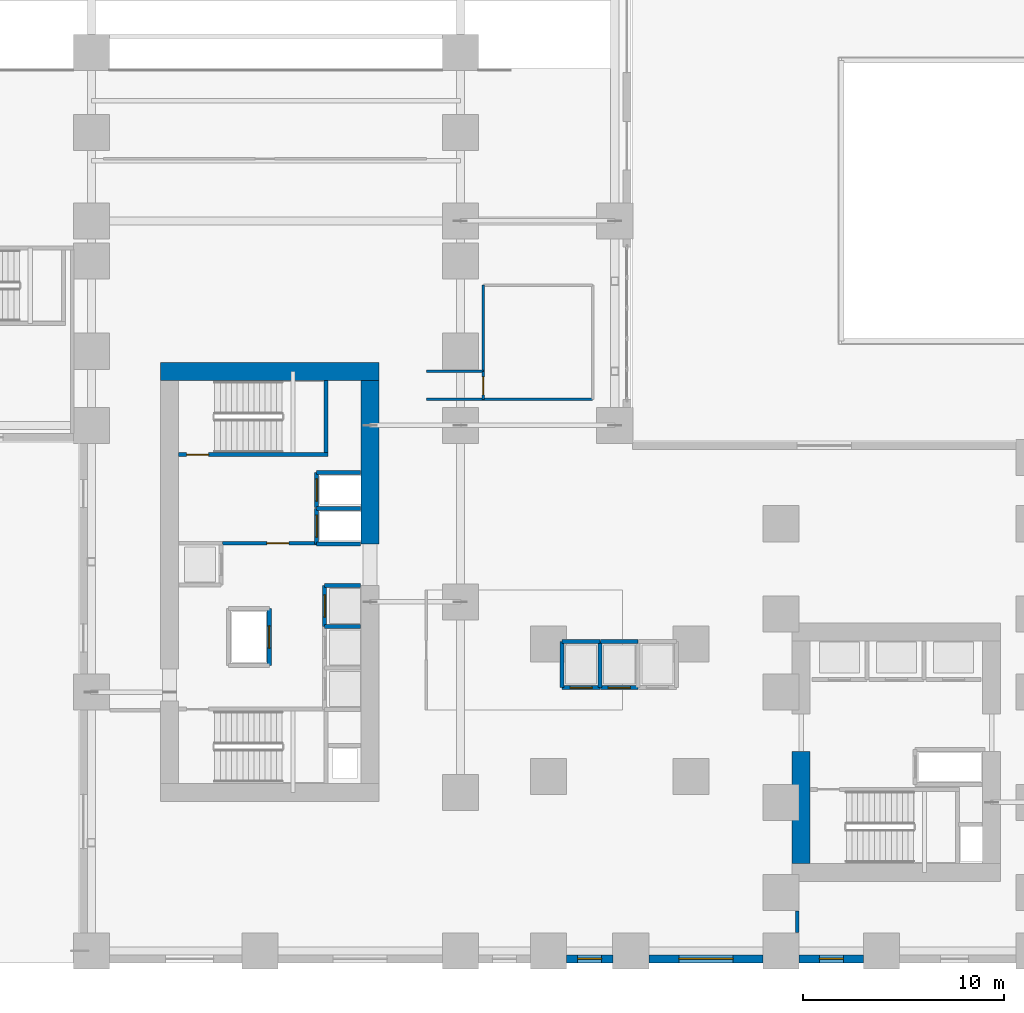
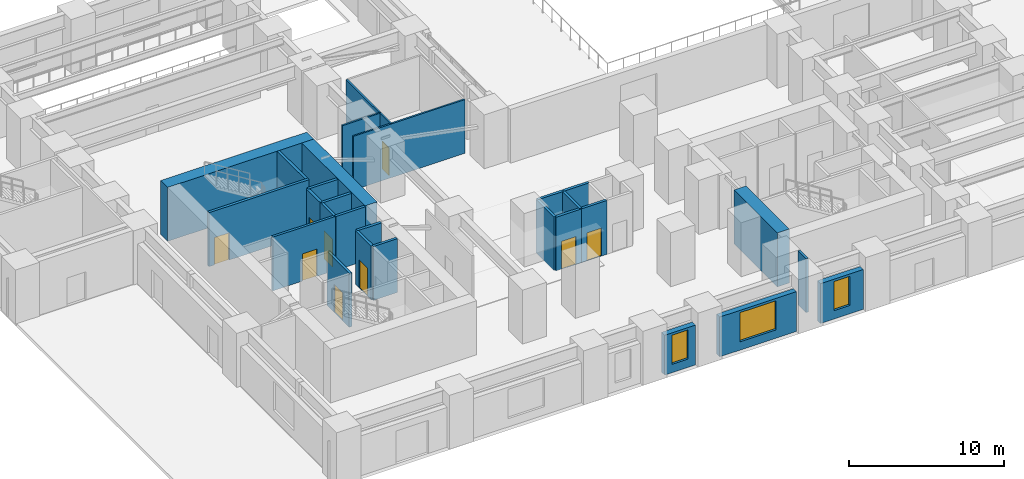
# One storey, part 14 of 23: 29 walls, 9 doors, 3 windows, 12 openings.
"""IFC4 building model written with IfcOpenShell, lengths in metres."""

import ifcopenshell
import ifcopenshell.guid

model = None  # the IFC model being written
_history = None  # IfcOwnerHistory: only IFC2X3 demands one
_inside = {}  # id of a spatial element -> (the spatial element, [elements in it])
_under = {}  # id of a project, library or spatial element -> (it, [spatial elements below it])
_declared = {}  # id of a project -> (the project, [libraries it declares])
_typed = {}  # id of a type object -> (the type object, [elements of that type])
_made_of = {}  # id of a material, layer set ... -> (it, [elements and type objects made of it])


def new_model(schema):
    """Start an empty IFC model of exactly this schema.

    Asked for "IFC4X3", IfcOpenShell would pick the latest addendum, in which some entities
    have other attributes; the version numbers below select the first issue.
    IFC2X3 requires an IfcOwnerHistory on every rooted entity: one is made here for all.
    """
    global model, _history
    if schema == "IFC4X3":
        model = ifcopenshell.file(schema_version=(4, 3, 0, 0))
    else:
        model = ifcopenshell.file(schema=schema)
    _inside.clear()
    _under.clear()
    _declared.clear()
    _typed.clear()
    _made_of.clear()
    _history = None
    if model.schema == "IFC2X3":
        org = make("IfcOrganization", Name="unknown")
        user = make(
            "IfcPersonAndOrganization",
            ThePerson=make("IfcPerson", FamilyName="unknown"),
            TheOrganization=org,
        )
        app = make(
            "IfcApplication",
            ApplicationDeveloper=org,
            Version="unknown",
            ApplicationFullName="unknown",
            ApplicationIdentifier="unknown",
        )
        _history = make(
            "IfcOwnerHistory",
            OwningUser=user,
            OwningApplication=app,
            ChangeAction="ADDED",
            CreationDate=0,
        )
    return model


def make(cls, **values):
    """One entity of the class cls with the attributes given. An attribute that is None is left unset."""
    return model.create_entity(
        cls, **{name: value for name, value in values.items() if value is not None}
    )


def rooted(cls, **values):
    """An entity with a GlobalId (a new one), such as an element, a storey or a relation."""
    return make(cls, GlobalId=ifcopenshell.guid.new(), OwnerHistory=_history, **values)


def si_unit(unit_type, name, prefix=None):
    """IfcSIUnit, for example si_unit("LENGTHUNIT", "METRE", prefix="MILLI")."""
    return make("IfcSIUnit", UnitType=unit_type, Prefix=prefix, Name=name)


def assignment(units):
    """IfcUnitAssignment: the units of a project."""
    return None if units is None else make("IfcUnitAssignment", Units=units)


def point(xyz):
    """IfcCartesianPoint."""
    return None if xyz is None else make("IfcCartesianPoint", Coordinates=xyz)


def direction(xyz):
    """IfcDirection."""
    return None if xyz is None else make("IfcDirection", DirectionRatios=xyz)


def frame(location, z_axis=None, x_axis=None):
    """IfcAxis2Placement3D, a coordinate frame: its origin and axes. An axis left out is left unset."""
    return make(
        "IfcAxis2Placement3D",
        Location=point(location),
        Axis=direction(z_axis),
        RefDirection=direction(x_axis),
    )


def frame_2d(location, x_axis=None):
    """IfcAxis2Placement2D, a coordinate frame in the plane: its origin and x axis."""
    return make(
        "IfcAxis2Placement2D", Location=point(location), RefDirection=direction(x_axis)
    )


def origin():
    """The frame at (0, 0, 0) with its axes left unset."""
    return frame((0.0, 0.0, 0.0))


def place(relative_to, where):
    """IfcLocalPlacement: puts the frame where relative to a parent placement (None: the world)."""
    return make(
        "IfcLocalPlacement", PlacementRelTo=relative_to, RelativePlacement=where
    )


def context(
    kind, dimensions, precision=None, world=None, true_north=None, identifier=None
):
    """IfcGeometricRepresentationContext, for example the 3D "Model" context."""
    return make(
        "IfcGeometricRepresentationContext",
        ContextIdentifier=identifier,
        ContextType=kind,
        CoordinateSpaceDimension=dimensions,
        Precision=precision,
        WorldCoordinateSystem=world,
        TrueNorth=true_north,
    )


def subcontext(parent, identifier, kind, view, scale=None):
    """IfcGeometricRepresentationSubContext, for example "Body" below "Model"."""
    return make(
        "IfcGeometricRepresentationSubContext",
        ContextIdentifier=identifier,
        ContextType=kind,
        ParentContext=parent,
        TargetScale=scale,
        TargetView=view,
    )


def project(units=None, contexts=None):
    """IfcProject with its units and contexts."""
    return rooted(
        "IfcProject",
        Name="project",
        RepresentationContexts=contexts,
        UnitsInContext=assignment(units),
    )


def spatial(cls, under=None, at=None, **own):
    """A site, building, storey or space (cls), placed at a placement, below another one or the project."""
    s = rooted(cls, ObjectPlacement=at, **own)
    if under is not None:
        _under.setdefault(under.id(), (under, []))[1].append(s)
    return s


def profile(cls, at=None, kind="AREA", **sizes):
    """A parametric profile (cls). Its sizes go by their IFC names, for example OverallWidth=200.0."""
    return make(cls, ProfileType=kind, Position=at, **sizes)


def rectangle(**sizes):
    """IfcRectangleProfileDef."""
    return profile("IfcRectangleProfileDef", **sizes)


def extrude(swept, where, along, depth):
    """IfcExtrudedAreaSolid: the profile swept, set in the frame where, extruded along a direction by depth."""
    return make(
        "IfcExtrudedAreaSolid",
        SweptArea=swept,
        Position=where,
        ExtrudedDirection=direction(along),
        Depth=depth,
    )


def shape(context_of_items, identifier, shape_type, items):
    """IfcShapeRepresentation: the items that make up one representation, for example the "Body"."""
    return make(
        "IfcShapeRepresentation",
        ContextOfItems=context_of_items,
        RepresentationIdentifier=identifier,
        RepresentationType=shape_type,
        Items=items,
    )


def source(mapping_origin, context_of_items, identifier, shape_type, items):
    """IfcRepresentationMap: a shape defined once, which mapped items show again and again."""
    return make(
        "IfcRepresentationMap",
        MappingOrigin=mapping_origin,
        MappedRepresentation=shape(context_of_items, identifier, shape_type, items),
    )


def transform(
    local_origin,
    x_axis=None,
    y_axis=None,
    z_axis=None,
    scale=None,
    scale2=None,
    scale3=None,
    uniform=True,
):
    """IfcCartesianTransformationOperator3D, or its non-uniform kind. x_axis, y_axis, z_axis: its Axis1, 2, 3."""
    if uniform:
        return make(
            "IfcCartesianTransformationOperator3D",
            Axis1=direction(x_axis),
            Axis2=direction(y_axis),
            LocalOrigin=point(local_origin),
            Scale=scale,
            Axis3=direction(z_axis),
        )
    return make(
        "IfcCartesianTransformationOperator3DnonUniform",
        Axis1=direction(x_axis),
        Axis2=direction(y_axis),
        LocalOrigin=point(local_origin),
        Scale=scale,
        Axis3=direction(z_axis),
        Scale2=scale2,
        Scale3=scale3,
    )


def mapped(mapping_source, mapping_target):
    """IfcMappedItem: shows the shape of a source again, moved by a transform."""
    return make(
        "IfcMappedItem", MappingSource=mapping_source, MappingTarget=mapping_target
    )


def material(Name=None, Category=None):
    """IfcMaterial."""
    return make("IfcMaterial", Name=Name, Category=Category)


def layer(
    of_material, thickness, ventilated=None, Name=None, Category=None, Priority=None
):
    """IfcMaterialLayer: one layer of a wall or slab, of a material (None: an air gap)."""
    return make(
        "IfcMaterialLayer",
        Material=of_material,
        LayerThickness=thickness,
        IsVentilated=ventilated,
        Name=Name,
        Category=Category,
        Priority=Priority,
    )


def layer_set(layers, Name=None):
    """IfcMaterialLayerSet."""
    return make("IfcMaterialLayerSet", MaterialLayers=layers, LayerSetName=Name)


def made_of(thing, what):
    """Note that an element or type object is made of a material, layer set ...; save() writes the relation."""
    if what is not None:
        _made_of.setdefault(what.id(), (what, []))[1].append(thing)
    return thing


def type_object(cls, material=None, **own):
    """A type object (cls), such as IfcWallType, which elements share."""
    return made_of(rooted(cls, **own), material)


def element(
    cls,
    number,
    at=None,
    inside=None,
    cuts=None,
    type_object=None,
    material=None,
    context=None,
    identifier="Body",
    shape_type=None,
    held_by="IfcProductDefinitionShape",
    body=None,
    shapes=None,
    **own,
):
    """One element of the class cls, such as IfcWall. Its Tag is "e" and its number.

    at: its placement. inside: the storey or other place that contains it. cuts: it is an
    opening in that element (IfcRelVoidsElement). A single representation is given by context,
    identifier, shape_type and body (its items); several are given by shapes. held_by: the class
    of the entity that holds the representations. save() writes the other relations.
    """
    e = rooted(cls, Tag="e%d" % number, ObjectPlacement=at, **own)
    if body is not None:
        shapes = [shape(context, identifier, shape_type, body)]
    if shapes is not None:
        e.Representation = make(held_by, Representations=shapes)
    if inside is not None:
        _inside.setdefault(inside.id(), (inside, []))[1].append(e)
    if cuts is not None:
        rooted(
            "IfcRelVoidsElement", RelatingBuildingElement=cuts, RelatedOpeningElement=e
        )
    if type_object is not None:
        _typed.setdefault(type_object.id(), (type_object, []))[1].append(e)
    return made_of(e, material)


def fill(opening, filler):
    """IfcRelFillsElement: the door or window that sits in an opening."""
    return rooted(
        "IfcRelFillsElement",
        RelatingOpeningElement=opening,
        RelatedBuildingElement=filler,
    )


def aggregate(whole, parts):
    """IfcRelAggregates: a whole, such as a stair, and the parts it consists of."""
    return rooted("IfcRelAggregates", RelatingObject=whole, RelatedObjects=parts)


def save(model, path):
    """Write the relations noted so far, then the file.

    IfcRelAggregates (storeys below a building ...), IfcRelContainedInSpatialStructure (elements
    in a storey), IfcRelDefinesByType, IfcRelAssociatesMaterial and IfcRelDeclares: one each for
    every whole, place, type object, material and project.
    """
    for whole, parts in _under.values():
        aggregate(whole, parts)
    for where, things in _inside.values():
        rooted(
            "IfcRelContainedInSpatialStructure",
            RelatedElements=things,
            RelatingStructure=where,
        )
    for kind, things in _typed.values():
        rooted("IfcRelDefinesByType", RelatedObjects=things, RelatingType=kind)
    for what, things in _made_of.values():
        rooted("IfcRelAssociatesMaterial", RelatedObjects=things, RelatingMaterial=what)
    for by, libraries in _declared.values():
        rooted("IfcRelDeclares", RelatingContext=by, RelatedDefinitions=libraries)
    model.write(path)


model = new_model("IFC4")

# Units and contexts
model_context = context("Model", 3, precision=1e-05, world=origin(), true_north=direction((0.0, 1.0)))
body_context = subcontext(model_context, "Body", "Model", "MODEL_VIEW")
ifc_project = project(units=[si_unit("LENGTHUNIT", "METRE"), si_unit("AREAUNIT", "SQUARE_METRE"), si_unit("VOLUMEUNIT", "CUBIC_METRE"), si_unit("PLANEANGLEUNIT", "RADIAN"), si_unit("MASSUNIT", "GRAM", prefix="KILO")], contexts=[model_context])

# Site, building, storey
site_placement = place(None, origin())
site = spatial("IfcSite", under=ifc_project, at=site_placement, CompositionType="ELEMENT")
building_placement = place(site_placement, origin())
building = spatial("IfcBuilding", under=site, at=building_placement, Name="Kharzan Plaza Tower", CompositionType="ELEMENT")
storey_placement = place(building_placement, origin())
storey = spatial("IfcBuildingStorey", under=building, at=storey_placement, Name="L00", CompositionType="ELEMENT", Elevation=0.0)

# Wall, opening, door
ifc_material_1 = material(Name="Concrete C40/50", Category="concrete")
ifc_layer_1 = layer(ifc_material_1, 0.179931640625)
ifc_layer_set_1 = layer_set([ifc_layer_1], Name="Concrete C40/50")
wall_type_1 = type_object("IfcWallType", Name="WL-INT-FIRE-180", PredefinedType="PARTITIONING", material=ifc_layer_set_1)
wall_1_placement = place(storey_placement, frame((7.14990234375, 20.919921875, 0.0), z_axis=(0.0, 0.0, 1.0), x_axis=(1.0, 0.0, 0.0)))
wall_1 = element("IfcWall", 1, at=wall_1_placement, inside=storey, type_object=wall_type_1, Name="L00 Interior Partition CA-FF-S", PredefinedType="PARTITIONING", context=body_context, shape_type="SweptSolid", body=[
    extrude(rectangle(XDim=4.68017578125, YDim=0.179931640625, at=frame_2d((2.340087890625, 0.0))), origin(), (0.0, 0.0, 1.0), 4.235107421875),
])
opening_1_placement = place(wall_1_placement, frame((2.199951171875, 0.0, 0.0)))
opening_1 = element("IfcOpeningElement", 2, at=opening_1_placement, cuts=wall_1, Name="Opening FD1", PredefinedType="OPENING", context=body_context, shape_type="SweptSolid", body=[
    extrude(rectangle(XDim=1.10009765625, YDim=2.14990234375, at=frame_2d((0.550048828125, 1.074951171875))), frame((0.0, 0.099853515625, 0.0), z_axis=(0.0, -1.0, 0.0), x_axis=(1.0, 0.0, 0.0)), (0.0, 0.0, 1.0), 0.199951171875),
])
ifc_material_2 = material(Name="Fire-Rated Acoustic Vision-Panel Steel", Category="steel")
door_type_1 = type_object("IfcDoorType", Name="DR-FIRE-LOBBY", OperationType="NOTDEFINED", PredefinedType="DOOR", material=ifc_material_2)
shared_shape_1 = source(origin(), body_context, "Body", "SweptSolid", [
    extrude(rectangle(XDim=1.10009765625, YDim=2.14990234375, at=frame_2d((0.550048828125, 1.074951171875))), frame((0.0, 0.02490234375, 0.0), z_axis=(0.0, -1.0, 0.0), x_axis=(1.0, 0.0, 0.0)), (0.0, 0.0, 1.0), 0.050048828125),
])
door_1_placement = place(opening_1_placement, origin())
door_1 = element("IfcDoor", 3, at=door_1_placement, inside=storey, type_object=door_type_1, Name="L00 Firefighting Lobby Door", OperationType="SINGLE_SWING_LEFT", OverallHeight=2.14990234375, OverallWidth=1.10009765625, PredefinedType="DOOR", context=body_context, shape_type="MappedRepresentation", body=[
    mapped(shared_shape_1, transform((0.0, 0.0, 0.0), x_axis=(1.0, 0.0, 0.0), y_axis=(0.0, 1.0, 0.0), z_axis=(0.0, 0.0, 1.0))),
])
fill(opening_1, door_1)

ifc_material_3 = material(Name="Fire-Rated Gypsum Board Partition", Category="gypsum")
ifc_layer_2 = layer(ifc_material_3, 0.125)
ifc_layer_set_2 = layer_set([ifc_layer_2], Name="Fire-Rated Gypsum Board Partition")
wall_type_2 = type_object("IfcWallType", Name="WL-INT-PART-125", PredefinedType="PARTITIONING", material=ifc_layer_set_2)
wall_2_placement = place(storey_placement, frame((20.14990234375, 28.10009765625, 0.0), z_axis=(0.0, 0.0, 1.0), x_axis=(0.0, 1.0, 0.0)))
wall_2 = element("IfcWall", 4, at=wall_2_placement, inside=storey, type_object=wall_type_2, Name="L00 Interior Partition L00-WCPW", PredefinedType="PARTITIONING", context=body_context, shape_type="SweptSolid", body=[
    extrude(rectangle(XDim=1.39990234375, YDim=0.125, at=frame_2d((0.699951171875, 0.0))), origin(), (0.0, 0.0, 1.0), 4.235107421875),
])
opening_2_placement = place(wall_2_placement, frame((0.22509765625, 0.0, 0.0)))
opening_2 = element("IfcOpeningElement", 5, at=opening_2_placement, cuts=wall_2, Name="Opening WD1", PredefinedType="OPENING", context=body_context, shape_type="SweptSolid", body=[
    extrude(rectangle(XDim=0.89990234375, YDim=2.14990234375, at=frame_2d((0.449951171875, 1.074951171875))), frame((0.0, 0.072509765625, 0.0), z_axis=(0.0, -1.0, 0.0), x_axis=(1.0, 0.0, 0.0)), (0.0, 0.0, 1.0), 0.14501953125),
])
ifc_material_4 = material(Name="Moisture-Resistant Fire-Rated Laminate", Category="timber")
door_type_2 = type_object("IfcDoorType", Name="DR-WC-900", OperationType="NOTDEFINED", PredefinedType="DOOR", material=ifc_material_4)
shared_shape_2 = source(origin(), body_context, "Body", "SweptSolid", [
    extrude(rectangle(XDim=0.89990234375, YDim=2.14990234375, at=frame_2d((0.449951171875, 1.074951171875))), frame((0.0, 0.02490234375, 0.0), z_axis=(0.0, -1.0, 0.0), x_axis=(1.0, 0.0, 0.0)), (0.0, 0.0, 1.0), 0.050048828125),
])
door_2_placement = place(opening_2_placement, origin())
door_2 = element("IfcDoor", 6, at=door_2_placement, inside=storey, type_object=door_type_2, Name="L00 L00 Washroom Door", OperationType="SINGLE_SWING_LEFT", OverallHeight=2.14990234375, OverallWidth=0.89990234375, PredefinedType="DOOR", context=body_context, shape_type="MappedRepresentation", body=[
    mapped(shared_shape_2, transform((0.0, 0.0, 0.0), x_axis=(1.0, 0.0, 0.0), y_axis=(0.0, 1.0, 0.0), z_axis=(0.0, 0.0, 1.0))),
])
fill(opening_2, door_2)

ifc_layer_3 = layer(ifc_material_1, 0.199951171875)
ifc_layer_set_3 = layer_set([ifc_layer_3], Name="Concrete C40/50")
wall_type_3 = type_object("IfcWallType", Name="WL-INT-SHAFT-200", PredefinedType="PARTITIONING", material=ifc_layer_set_3)
wall_3_placement = place(storey_placement, frame((11.830078125, 20.89990234375, 0.0), z_axis=(0.0, 0.0, 1.0), x_axis=(0.0, 1.0, 0.0)))
wall_3 = element("IfcWall", 7, at=wall_3_placement, inside=storey, type_object=wall_type_3, Name="L00 Interior Partition SHF-FFL-1-W", PredefinedType="PARTITIONING", context=body_context, shape_type="SweptSolid", body=[
    extrude(rectangle(XDim=1.760009765625, YDim=0.199951171875, at=frame_2d((0.8798828125, 0.0))), origin(), (0.0, 0.0, 1.0), 4.235107421875),
])
opening_3_placement = place(wall_3_placement, frame((0.330078125, 0.0, 0.0)))
opening_3 = element("IfcOpeningElement", 8, at=opening_3_placement, cuts=wall_3, Name="Opening LD", PredefinedType="OPENING", context=body_context, shape_type="SweptSolid", body=[
    extrude(rectangle(XDim=1.10009765625, YDim=2.199951171875, at=frame_2d((0.550048828125, 1.10009765625))), frame((0.0, 0.10986328125, 0.0), z_axis=(0.0, -1.0, 0.0), x_axis=(1.0, 0.0, 0.0)), (0.0, 0.0, 1.0), 0.219970703125),
])
ifc_material_5 = material(Name="Brushed Stainless Steel", Category="steel")
door_type_3 = type_object("IfcDoorType", Name="DR-LIFT-SLIDE", OperationType="SLIDING_TO_LEFT", PredefinedType="DOOR", material=ifc_material_5)
shared_shape_3 = source(origin(), body_context, "Body", "SweptSolid", [
    extrude(rectangle(XDim=1.10009765625, YDim=2.199951171875, at=frame_2d((0.550048828125, 1.10009765625))), frame((0.0, 0.02490234375, 0.0), z_axis=(0.0, -1.0, 0.0), x_axis=(1.0, 0.0, 0.0)), (0.0, 0.0, 1.0), 0.050048828125),
])
door_3_placement = place(opening_3_placement, origin())
door_3 = element("IfcDoor", 9, at=door_3_placement, inside=storey, type_object=door_type_3, Name="L00 Firefighting Lift FFL-1 Sliding Landing Door", OperationType="SLIDING_TO_LEFT", OverallHeight=2.199951171875, OverallWidth=1.10009765625, PredefinedType="DOOR", context=body_context, shape_type="MappedRepresentation", body=[
    mapped(shared_shape_3, transform((0.0, 0.0, 0.0), x_axis=(1.0, 0.0, 0.0), y_axis=(0.0, 1.0, 0.0), z_axis=(0.0, 0.0, 1.0))),
])
fill(opening_3, door_3)

wall_4_placement = place(storey_placement, frame((11.830078125, 22.699951171875, 0.0), z_axis=(0.0, 0.0, 1.0), x_axis=(0.0, 1.0, 0.0)))
wall_4 = element("IfcWall", 10, at=wall_4_placement, inside=storey, type_object=wall_type_3, Name="L00 Interior Partition SHF-FFL-2-W", PredefinedType="PARTITIONING", context=body_context, shape_type="SweptSolid", body=[
    extrude(rectangle(XDim=1.760009765625, YDim=0.199951171875, at=frame_2d((0.8798828125, 0.0))), origin(), (0.0, 0.0, 1.0), 4.235107421875),
])
opening_4_placement = place(wall_4_placement, frame((0.330078125, 0.0, 0.0)))
opening_4 = element("IfcOpeningElement", 11, at=opening_4_placement, cuts=wall_4, Name="Opening LD", PredefinedType="OPENING", context=body_context, shape_type="SweptSolid", body=[
    extrude(rectangle(XDim=1.10009765625, YDim=2.199951171875, at=frame_2d((0.550048828125, 1.10009765625))), frame((0.0, 0.10986328125, 0.0), z_axis=(0.0, -1.0, 0.0), x_axis=(1.0, 0.0, 0.0)), (0.0, 0.0, 1.0), 0.219970703125),
])
door_4_placement = place(opening_4_placement, origin())
door_4 = element("IfcDoor", 12, at=door_4_placement, inside=storey, type_object=door_type_3, Name="L00 Firefighting Lift FFL-2 Sliding Landing Door", OperationType="SLIDING_TO_LEFT", OverallHeight=2.199951171875, OverallWidth=1.10009765625, PredefinedType="DOOR", context=body_context, shape_type="MappedRepresentation", body=[
    mapped(shared_shape_3, transform((0.0, 0.0, 0.0), x_axis=(1.0, 0.0, 0.0), y_axis=(0.0, 1.0, 0.0), z_axis=(0.0, 0.0, 1.0))),
])
fill(opening_4, door_4)

wall_5_placement = place(storey_placement, frame((12.22998046875, 16.77001953125, 0.0), z_axis=(0.0, 0.0, 1.0), x_axis=(0.0, 1.0, 0.0)))
wall_5 = element("IfcWall", 13, at=wall_5_placement, inside=storey, type_object=wall_type_3, Name="L00 Interior Partition SHF-PL-H3-W", PredefinedType="PARTITIONING", context=body_context, shape_type="SweptSolid", body=[
    extrude(rectangle(XDim=2.050048828125, YDim=0.199951171875, at=frame_2d((1.02490234375, 0.0))), origin(), (0.0, 0.0, 1.0), 4.235107421875),
])
opening_5_placement = place(wall_5_placement, frame((0.47509765625, 0.0, 0.0)))
opening_5 = element("IfcOpeningElement", 14, at=opening_5_placement, cuts=wall_5, Name="Opening LD", PredefinedType="OPENING", context=body_context, shape_type="SweptSolid", body=[
    extrude(rectangle(XDim=1.10009765625, YDim=2.199951171875, at=frame_2d((0.550048828125, 1.10009765625))), frame((0.0, 0.10986328125, 0.0), z_axis=(0.0, -1.0, 0.0), x_axis=(1.0, 0.0, 0.0)), (0.0, 0.0, 1.0), 0.219970703125),
])
door_5_placement = place(opening_5_placement, origin())
door_5 = element("IfcDoor", 15, at=door_5_placement, inside=storey, type_object=door_type_3, Name="L00 High-Rise Passenger Lift PL-H3 Sliding Landing Door", OperationType="SLIDING_TO_LEFT", OverallHeight=2.199951171875, OverallWidth=1.10009765625, PredefinedType="DOOR", context=body_context, shape_type="MappedRepresentation", body=[
    mapped(shared_shape_3, transform((0.0, 0.0, 0.0), x_axis=(1.0, 0.0, 0.0), y_axis=(0.0, 1.0, 0.0), z_axis=(0.0, 0.0, 1.0))),
])
fill(opening_5, door_5)

wall_6_placement = place(storey_placement, frame((24.080078125, 13.72998046875, 0.0), z_axis=(0.0, 0.0, 1.0), x_axis=(1.0, 0.0, 0.0)))
wall_6 = element("IfcWall", 16, at=wall_6_placement, inside=storey, type_object=wall_type_3, Name="L00 Interior Partition SHF-PL-M1-S", PredefinedType="PARTITIONING", context=body_context, shape_type="SweptSolid", body=[
    extrude(rectangle(XDim=1.889892578125, YDim=0.199951171875, at=frame_2d((0.94482421875, 0.0))), origin(), (0.0, 0.0, 1.0), 4.235107421875),
])
opening_6_placement = place(wall_6_placement, frame((0.39501953125, 0.0, 0.0)))
opening_6 = element("IfcOpeningElement", 17, at=opening_6_placement, cuts=wall_6, Name="Opening LD", PredefinedType="OPENING", context=body_context, shape_type="SweptSolid", body=[
    extrude(rectangle(XDim=1.10009765625, YDim=2.199951171875, at=frame_2d((0.550048828125, 1.10009765625))), frame((0.0, 0.10986328125, 0.0), z_axis=(0.0, -1.0, 0.0), x_axis=(1.0, 0.0, 0.0)), (0.0, 0.0, 1.0), 0.219970703125),
])
door_6_placement = place(opening_6_placement, origin())
door_6 = element("IfcDoor", 18, at=door_6_placement, inside=storey, type_object=door_type_3, Name="L00 Mid-Rise Passenger Lift PL-M1 Sliding Landing Door", OperationType="SLIDING_TO_LEFT", OverallHeight=2.199951171875, OverallWidth=1.10009765625, PredefinedType="DOOR", context=body_context, shape_type="MappedRepresentation", body=[
    mapped(shared_shape_3, transform((0.0, 0.0, 0.0), x_axis=(1.0, 0.0, 0.0), y_axis=(0.0, 1.0, 0.0), z_axis=(0.0, 0.0, 1.0))),
])
fill(opening_6, door_6)

wall_7_placement = place(storey_placement, frame((25.97998046875, 13.72998046875, 0.0), z_axis=(0.0, 0.0, 1.0), x_axis=(1.0, 0.0, 0.0)))
wall_7 = element("IfcWall", 19, at=wall_7_placement, inside=storey, type_object=wall_type_3, Name="L00 Interior Partition SHF-PL-M2-S", PredefinedType="PARTITIONING", context=body_context, shape_type="SweptSolid", body=[
    extrude(rectangle(XDim=1.89013671875, YDim=0.199951171875, at=frame_2d((0.945068359375, 0.0))), origin(), (0.0, 0.0, 1.0), 4.235107421875),
])
opening_7_placement = place(wall_7_placement, frame((0.39501953125, 0.0, 0.0)))
opening_7 = element("IfcOpeningElement", 20, at=opening_7_placement, cuts=wall_7, Name="Opening LD", PredefinedType="OPENING", context=body_context, shape_type="SweptSolid", body=[
    extrude(rectangle(XDim=1.10009765625, YDim=2.199951171875, at=frame_2d((0.550048828125, 1.10009765625))), frame((0.0, 0.10986328125, 0.0), z_axis=(0.0, -1.0, 0.0), x_axis=(1.0, 0.0, 0.0)), (0.0, 0.0, 1.0), 0.219970703125),
])
door_7_placement = place(opening_7_placement, origin())
door_7 = element("IfcDoor", 21, at=door_7_placement, inside=storey, type_object=door_type_3, Name="L00 Mid-Rise Passenger Lift PL-M2 Sliding Landing Door", OperationType="SLIDING_TO_LEFT", OverallHeight=2.199951171875, OverallWidth=1.10009765625, PredefinedType="DOOR", context=body_context, shape_type="MappedRepresentation", body=[
    mapped(shared_shape_3, transform((0.0, 0.0, 0.0), x_axis=(1.0, 0.0, 0.0), y_axis=(0.0, 1.0, 0.0), z_axis=(0.0, 0.0, 1.0))),
])
fill(opening_7, door_7)

wall_8_placement = place(storey_placement, frame((9.469970703125, 14.830078125, 0.0), z_axis=(0.0, 0.0, 1.0), x_axis=(0.0, 1.0, 0.0)))
wall_8 = element("IfcWall", 22, at=wall_8_placement, inside=storey, type_object=wall_type_3, Name="L00 Interior Partition SHF-SVL-1-E", PredefinedType="PARTITIONING", context=body_context, shape_type="SweptSolid", body=[
    extrude(rectangle(XDim=2.83984375, YDim=0.199951171875, at=frame_2d((1.419921875, 0.0))), origin(), (0.0, 0.0, 1.0), 4.235107421875),
])
opening_8_placement = place(wall_8_placement, frame((0.8701171875, 0.0, 0.0)))
opening_8 = element("IfcOpeningElement", 23, at=opening_8_placement, cuts=wall_8, Name="Opening LD", PredefinedType="OPENING", context=body_context, shape_type="SweptSolid", body=[
    extrude(rectangle(XDim=1.10009765625, YDim=2.199951171875, at=frame_2d((0.550048828125, 1.10009765625))), frame((0.0, 0.10986328125, 0.0), z_axis=(0.0, -1.0, 0.0), x_axis=(1.0, 0.0, 0.0)), (0.0, 0.0, 1.0), 0.219970703125),
])
door_8_placement = place(opening_8_placement, origin())
door_8 = element("IfcDoor", 24, at=door_8_placement, inside=storey, type_object=door_type_3, Name="L00 Service Lift SVL-1 Sliding Landing Door", OperationType="SLIDING_TO_LEFT", OverallHeight=2.199951171875, OverallWidth=1.10009765625, PredefinedType="DOOR", context=body_context, shape_type="MappedRepresentation", body=[
    mapped(shared_shape_3, transform((0.0, 0.0, 0.0), x_axis=(1.0, 0.0, 0.0), y_axis=(0.0, 1.0, 0.0), z_axis=(0.0, 0.0, 1.0))),
])
fill(opening_8, door_8)

# Wall, opening, window
ifc_layer_4 = layer(ifc_material_1, 0.39990234375)
ifc_layer_set_4 = layer_set([ifc_layer_4], Name="Concrete C40/50")
wall_type_4 = type_object("IfcWallType", Name="WL-POD-MAS-400", PredefinedType="SOLIDWALL", material=ifc_layer_set_4)
wall_9_placement = place(storey_placement, frame((24.298095703125, 0.199951171875, 0.0), z_axis=(0.0, 0.0, 1.0), x_axis=(1.0, 0.0, 0.0)))
wall_9 = element("IfcWall", 25, at=wall_9_placement, inside=storey, type_object=wall_type_4, Name="L00 Masonry-Frame Exterior Wall 19", PredefinedType="SOLIDWALL", context=body_context, shape_type="SweptSolid", body=[
    extrude(rectangle(XDim=2.303955078125, YDim=0.39990234375, at=frame_2d((1.15185546875, 0.0))), origin(), (0.0, 0.0, 1.0), 3.135009765625),
])
opening_9_placement = place(wall_9_placement, frame((0.552001953125, 0.0, 0.64990234375)))
opening_9 = element("IfcOpeningElement", 26, at=opening_9_placement, cuts=wall_9, Name="Opening W3", PredefinedType="OPENING", context=body_context, shape_type="SweptSolid", body=[
    extrude(rectangle(XDim=1.199951171875, YDim=2.304931640625, at=frame_2d((0.60009765625, 1.15234375))), frame((0.0, 0.2099609375, 0.0), z_axis=(0.0, -1.0, 0.0), x_axis=(1.0, 0.0, 0.0)), (0.0, 0.0, 1.0), 0.419921875),
])
ifc_material_6 = material(Name="Low-E Double Glazing", Category="glass")
window_type_1 = type_object("IfcWindowType", Name="WN-REC-1200x2100", PartitioningType="SINGLE_PANEL", PredefinedType="WINDOW", material=ifc_material_6)
shared_shape_4 = source(origin(), body_context, "Body", "SweptSolid", [
    extrude(rectangle(XDim=1.199951171875, YDim=2.304931640625, at=frame_2d((0.60009765625, 1.15234375))), frame((0.0, 0.030029296875, 0.0), z_axis=(0.0, -1.0, 0.0), x_axis=(1.0, 0.0, 0.0)), (0.0, 0.0, 1.0), 0.06005859375),
])
window_1_placement = place(opening_9_placement, origin())
window_1 = element("IfcWindow", 27, at=window_1_placement, inside=storey, type_object=window_type_1, Name="L00 Recessed Solar-Control Window 19-1", OverallHeight=2.304931640625, OverallWidth=1.199951171875, PartitioningType="SINGLE_PANEL", PredefinedType="WINDOW", context=body_context, shape_type="MappedRepresentation", body=[
    mapped(shared_shape_4, transform((0.0, 0.0, 0.0), x_axis=(1.0, 0.0, 0.0), y_axis=(0.0, 1.0, 0.0), z_axis=(0.0, 0.0, 1.0))),
])
fill(opening_9, window_1)

wall_10_placement = place(storey_placement, frame((28.39794921875, 0.199951171875, 0.0), z_axis=(0.0, 0.0, 1.0), x_axis=(1.0, 0.0, 0.0)))
wall_10 = element("IfcWall", 28, at=wall_10_placement, inside=storey, type_object=wall_type_4, Name="L00 Masonry-Frame Exterior Wall 20", PredefinedType="SOLIDWALL", context=body_context, shape_type="SweptSolid", body=[
    extrude(rectangle(XDim=5.7041015625, YDim=0.39990234375, at=frame_2d((2.85205078125, 0.0))), origin(), (0.0, 0.0, 1.0), 3.135009765625),
])
opening_10_placement = place(wall_10_placement, frame((1.501953125, 0.0, 0.64990234375)))
opening_10 = element("IfcOpeningElement", 29, at=opening_10_placement, cuts=wall_10, Name="Opening W4", PredefinedType="OPENING", context=body_context, shape_type="SweptSolid", body=[
    extrude(rectangle(XDim=2.699951171875, YDim=2.304931640625, at=frame_2d((1.35009765625, 1.15234375))), frame((0.0, 0.2099609375, 0.0), z_axis=(0.0, -1.0, 0.0), x_axis=(1.0, 0.0, 0.0)), (0.0, 0.0, 1.0), 0.419921875),
])
window_type_2 = type_object("IfcWindowType", Name="WN-POD-2700x2600", PartitioningType="SINGLE_PANEL", PredefinedType="WINDOW", material=ifc_material_6)
shared_shape_5 = source(origin(), body_context, "Body", "SweptSolid", [
    extrude(rectangle(XDim=2.699951171875, YDim=2.304931640625, at=frame_2d((1.35009765625, 1.15234375))), frame((0.0, 0.030029296875, 0.0), z_axis=(0.0, -1.0, 0.0), x_axis=(1.0, 0.0, 0.0)), (0.0, 0.0, 1.0), 0.06005859375),
])
window_2_placement = place(opening_10_placement, origin())
window_2 = element("IfcWindow", 30, at=window_2_placement, inside=storey, type_object=window_type_2, Name="L00 Recessed Solar-Control Window 20-1", OverallHeight=2.304931640625, OverallWidth=2.699951171875, PartitioningType="SINGLE_PANEL", PredefinedType="WINDOW", context=body_context, shape_type="MappedRepresentation", body=[
    mapped(shared_shape_5, transform((0.0, 0.0, 0.0), x_axis=(1.0, 0.0, 0.0), y_axis=(0.0, 1.0, 0.0), z_axis=(0.0, 0.0, 1.0))),
])
fill(opening_10, window_2)

wall_11_placement = place(storey_placement, frame((35.89794921875, 0.199951171875, 0.0), z_axis=(0.0, 0.0, 1.0), x_axis=(1.0, 0.0, 0.0)))
wall_11 = element("IfcWall", 31, at=wall_11_placement, inside=storey, type_object=wall_type_4, Name="L00 Masonry-Frame Exterior Wall 21", PredefinedType="SOLIDWALL", context=body_context, shape_type="SweptSolid", body=[
    extrude(rectangle(XDim=3.2041015625, YDim=0.39990234375, at=frame_2d((1.60205078125, 0.0))), origin(), (0.0, 0.0, 1.0), 3.135009765625),
])
opening_11_placement = place(wall_11_placement, frame((1.001953125, 0.0, 0.64990234375)))
opening_11 = element("IfcOpeningElement", 32, at=opening_11_placement, cuts=wall_11, Name="Opening W3", PredefinedType="OPENING", context=body_context, shape_type="SweptSolid", body=[
    extrude(rectangle(XDim=1.199951171875, YDim=2.304931640625, at=frame_2d((0.60009765625, 1.15234375))), frame((0.0, 0.2099609375, 0.0), z_axis=(0.0, -1.0, 0.0), x_axis=(1.0, 0.0, 0.0)), (0.0, 0.0, 1.0), 0.419921875),
])
window_3_placement = place(opening_11_placement, origin())
window_3 = element("IfcWindow", 33, at=window_3_placement, inside=storey, type_object=window_type_1, Name="L00 Recessed Solar-Control Window 21-1", OverallHeight=2.304931640625, OverallWidth=1.199951171875, PartitioningType="SINGLE_PANEL", PredefinedType="WINDOW", context=body_context, shape_type="MappedRepresentation", body=[
    mapped(shared_shape_4, transform((0.0, 0.0, 0.0), x_axis=(1.0, 0.0, 0.0), y_axis=(0.0, 1.0, 0.0), z_axis=(0.0, 0.0, 1.0))),
])
fill(opening_11, window_3)

# Wall, opening, door
ifc_material_7 = material(Name="Concrete C50/60", Category="concrete")
ifc_layer_5 = layer(ifc_material_7, 0.199951171875)
ifc_layer_set_5 = layer_set([ifc_layer_5], Name="Concrete C50/60")
wall_type_5 = type_object("IfcWallType", Name="WL-SHAFT-RC200", PredefinedType="SHEAR", material=ifc_layer_set_5)
wall_12_placement = place(storey_placement, frame((4.951904296875, 25.344970703125, 0.0), z_axis=(0.0, 0.0, 1.0), x_axis=(1.0, 0.0, 0.0)))
wall_12 = element("IfcWall", 34, at=wall_12_placement, inside=storey, type_object=wall_type_5, Name="L00 Stair ST-2 South RC Shaft Wall", PredefinedType="SHEAR", context=body_context, shape_type="SweptSolid", body=[
    extrude(rectangle(XDim=7.453125, YDim=0.199951171875, at=frame_2d((3.7265625, 0.0))), origin(), (0.0, 0.0, 1.0), 4.25),
])
opening_12_placement = place(wall_12_placement, frame((0.39990234375, 0.0, 0.0)))
opening_12 = element("IfcOpeningElement", 35, at=opening_12_placement, cuts=wall_12, Name="Opening SD1", PredefinedType="OPENING", context=body_context, shape_type="SweptSolid", body=[
    extrude(rectangle(XDim=1.10009765625, YDim=2.14990234375, at=frame_2d((0.550048828125, 1.074951171875))), frame((0.0, 0.10986328125, 0.0), z_axis=(0.0, -1.0, 0.0), x_axis=(1.0, 0.0, 0.0)), (0.0, 0.0, 1.0), 0.219970703125),
])
ifc_material_8 = material(Name="Fire-Rated Hollow Galvanized Steel", Category="steel")
door_type_4 = type_object("IfcDoorType", Name="DR-STAIR-FD120", OperationType="NOTDEFINED", PredefinedType="DOOR", material=ifc_material_8)
shared_shape_6 = source(origin(), body_context, "Body", "SweptSolid", [
    extrude(rectangle(XDim=1.10009765625, YDim=2.14990234375, at=frame_2d((0.550048828125, 1.074951171875))), frame((0.0, 0.02490234375, 0.0), z_axis=(0.0, -1.0, 0.0), x_axis=(1.0, 0.0, 0.0)), (0.0, 0.0, 1.0), 0.050048828125),
])
door_9_placement = place(opening_12_placement, origin())
door_9 = element("IfcDoor", 36, at=door_9_placement, inside=storey, type_object=door_type_4, Name="L00 Stair ST-2 Fire Exit Door", OperationType="SINGLE_SWING_RIGHT", OverallHeight=2.14990234375, OverallWidth=1.10009765625, PredefinedType="DOOR", context=body_context, shape_type="MappedRepresentation", body=[
    mapped(shared_shape_6, transform((0.0, 0.0, 0.0), x_axis=(1.0, 0.0, 0.0), y_axis=(0.0, 1.0, 0.0), z_axis=(0.0, 0.0, 1.0))),
])
fill(opening_12, door_9)

# Walls
ifc_material_9 = material(Name="Concrete C60/75", Category="concrete")
ifc_layer_6 = layer(ifc_material_9, 0.89990234375)
ifc_layer_set_6 = layer_set([ifc_layer_6], Name="Concrete C60/75")
wall_type_6 = type_object("IfcWallType", Name="WL-CORE-900", PredefinedType="SHEAR", material=ifc_layer_set_6)
shared_shape_7 = source(origin(), body_context, "Body", "SweptSolid", [
    extrude(rectangle(XDim=8.170166015625, YDim=0.89990234375, at=frame_2d((4.0849609375, 0.0))), origin(), (0.0, 0.0, 1.0), 4.25),
])
wall_13_placement = place(storey_placement, frame((14.5, 20.8798828125, 0.0), z_axis=(0.0, 0.0, 1.0), x_axis=(0.0, 1.0, 0.0)))
element("IfcWall", 37, at=wall_13_placement, inside=storey, type_object=wall_type_6, Name="L00 CORE-A east shear pier 2", PredefinedType="SHEAR", context=body_context, shape_type="MappedRepresentation", body=[
    mapped(shared_shape_7, transform((0.0, 0.0, 0.0), x_axis=(1.0, 0.0, 0.0), y_axis=(0.0, 1.0, 0.0), z_axis=(0.0, 0.0, 1.0))),
])
shared_shape_8 = source(origin(), body_context, "Body", "SweptSolid", [
    extrude(rectangle(XDim=10.89990234375, YDim=0.89990234375, at=frame_2d((5.449951171875, 0.0))), origin(), (0.0, 0.0, 1.0), 4.25),
])
wall_14_placement = place(storey_placement, frame((4.050048828125, 29.5, 0.0), z_axis=(0.0, 0.0, 1.0), x_axis=(1.0, 0.0, 0.0)))
element("IfcWall", 38, at=wall_14_placement, inside=storey, type_object=wall_type_6, Name="L00 CORE-A north RC shear wall", PredefinedType="SHEAR", context=body_context, shape_type="MappedRepresentation", body=[
    mapped(shared_shape_8, transform((0.0, 0.0, 0.0), x_axis=(1.0, 0.0, 0.0), y_axis=(0.0, 1.0, 0.0), z_axis=(0.0, 0.0, 1.0))),
])
shared_shape_9 = source(origin(), body_context, "Body", "SweptSolid", [
    extrude(rectangle(XDim=5.60009765625, YDim=0.89990234375, at=frame_2d((2.800048828125, 0.0))), origin(), (0.0, 0.0, 1.0), 4.25),
])
wall_15_placement = place(storey_placement, frame((36.0, 4.949951171875, 0.0), z_axis=(0.0, 0.0, 1.0), x_axis=(0.0, 1.0, 0.0)))
element("IfcWall", 39, at=wall_15_placement, inside=storey, type_object=wall_type_6, Name="L00 CORE-B west shear pier 1", PredefinedType="SHEAR", context=body_context, shape_type="MappedRepresentation", body=[
    mapped(shared_shape_9, transform((0.0, 0.0, 0.0), x_axis=(1.0, 0.0, 0.0), y_axis=(0.0, 1.0, 0.0), z_axis=(0.0, 0.0, 1.0))),
])
shared_shape_10 = source(origin(), body_context, "Body", "SweptSolid", [
    extrude(rectangle(XDim=1.06005859375, YDim=0.179931640625, at=frame_2d((0.530029296875, 0.0))), origin(), (0.0, 0.0, 1.0), 4.235107421875),
])
wall_16_placement = place(storey_placement, frame((35.800048828125, 1.52001953125, 0.0), z_axis=(0.0, 0.0, 1.0), x_axis=(0.0, 1.0, 0.0)))
element("IfcWall", 40, at=wall_16_placement, inside=storey, type_object=wall_type_1, Name="L00 Interior Partition L00-SSTEE", PredefinedType="PARTITIONING", context=body_context, shape_type="MappedRepresentation", body=[
    mapped(shared_shape_10, transform((0.0, 0.0, 0.0), x_axis=(1.0, 0.0, 0.0), y_axis=(0.0, 1.0, 0.0), z_axis=(0.0, 0.0, 1.0))),
])
shared_shape_11 = source(origin(), body_context, "Body", "SweptSolid", [
    extrude(rectangle(XDim=2.849853515625, YDim=0.125, at=frame_2d((1.4248046875, 0.0))), origin(), (0.0, 0.0, 1.0), 4.235107421875),
])
wall_17_placement = place(storey_placement, frame((17.300048828125, 29.5, 0.0), z_axis=(0.0, 0.0, 1.0), x_axis=(1.0, 0.0, 0.0)))
element("IfcWall", 41, at=wall_17_placement, inside=storey, type_object=wall_type_2, Name="L00 Interior Partition L00-WCPN1", PredefinedType="PARTITIONING", context=body_context, shape_type="MappedRepresentation", body=[
    mapped(shared_shape_11, transform((0.0, 0.0, 0.0), x_axis=(1.0, 0.0, 0.0), y_axis=(0.0, 1.0, 0.0), z_axis=(0.0, 0.0, 1.0))),
])
shared_shape_12 = source(origin(), body_context, "Body", "SweptSolid", [
    extrude(rectangle(XDim=8.300048828125, YDim=0.125, at=frame_2d((4.14990234375, 0.0))), origin(), (0.0, 0.0, 1.0), 4.235107421875),
])
wall_18_placement = place(storey_placement, frame((17.300048828125, 28.10009765625, 0.0), z_axis=(0.0, 0.0, 1.0), x_axis=(1.0, 0.0, 0.0)))
element("IfcWall", 42, at=wall_18_placement, inside=storey, type_object=wall_type_2, Name="L00 Interior Partition L00-WCPS", PredefinedType="PARTITIONING", context=body_context, shape_type="MappedRepresentation", body=[
    mapped(shared_shape_12, transform((0.0, 0.0, 0.0), x_axis=(1.0, 0.0, 0.0), y_axis=(0.0, 1.0, 0.0), z_axis=(0.0, 0.0, 1.0))),
])
shared_shape_13 = source(origin(), body_context, "Body", "SweptSolid", [
    extrude(rectangle(XDim=4.300048828125, YDim=0.125, at=frame_2d((2.14990234375, 0.0))), origin(), (0.0, 0.0, 1.0), 4.235107421875),
])
wall_19_placement = place(storey_placement, frame((20.14990234375, 29.5, 0.0), z_axis=(0.0, 0.0, 1.0), x_axis=(0.0, 1.0, 0.0)))
element("IfcWall", 43, at=wall_19_placement, inside=storey, type_object=wall_type_2, Name="L00 Interior Partition L00-WCPV1", PredefinedType="PARTITIONING", context=body_context, shape_type="MappedRepresentation", body=[
    mapped(shared_shape_13, transform((0.0, 0.0, 0.0), x_axis=(1.0, 0.0, 0.0), y_axis=(0.0, 1.0, 0.0), z_axis=(0.0, 0.0, 1.0))),
])
shared_shape_14 = source(origin(), body_context, "Body", "SweptSolid", [
    extrude(rectangle(XDim=2.18994140625, YDim=0.199951171875, at=frame_2d((1.094970703125, 0.0))), origin(), (0.0, 0.0, 1.0), 4.235107421875),
])
for number, where, z_axis, x_axis, name in (
    (44, (11.830078125, 22.659912109375, 0.0), (0.0, 0.0, 1.0), (1.0, 0.0, 0.0), "L00 Interior Partition SHF-FFL-1-N"),
    (45, (11.830078125, 20.89990234375, 0.0), (0.0, 0.0, 1.0), (1.0, 0.0, 0.0), "L00 Interior Partition SHF-FFL-1-S"),
    (46, (11.830078125, 24.4599609375, 0.0), (0.0, 0.0, 1.0), (1.0, 0.0, 0.0), "L00 Interior Partition SHF-FFL-2-N"),
):
    element("IfcWall", number, at=place(storey_placement, frame(where, z_axis=z_axis, x_axis=x_axis)), inside=storey, type_object=wall_type_3, Name=name, PredefinedType="PARTITIONING", context=body_context, shape_type="MappedRepresentation", body=[
        mapped(shared_shape_14, transform((0.0, 0.0, 0.0), x_axis=(1.0, 0.0, 0.0), y_axis=(0.0, 1.0, 0.0), z_axis=(0.0, 0.0, 1.0))),
    ])
shared_shape_15 = source(origin(), body_context, "Body", "SweptSolid", [
    extrude(rectangle(XDim=1.7900390625, YDim=0.199951171875, at=frame_2d((0.89501953125, 0.0))), origin(), (0.0, 0.0, 1.0), 4.235107421875),
])
for number, where, z_axis, x_axis, name in (
    (47, (12.22998046875, 16.77001953125, 0.0), (0.0, 0.0, 1.0), (1.0, 0.0, 0.0), "L00 Interior Partition SHF-PL-H2-N"),
    (48, (12.22998046875, 18.820068359375, 0.0), (0.0, 0.0, 1.0), (1.0, 0.0, 0.0), "L00 Interior Partition SHF-PL-H3-N"),
):
    element("IfcWall", number, at=place(storey_placement, frame(where, z_axis=z_axis, x_axis=x_axis)), inside=storey, type_object=wall_type_3, Name=name, PredefinedType="PARTITIONING", context=body_context, shape_type="MappedRepresentation", body=[
        mapped(shared_shape_15, transform((0.0, 0.0, 0.0), x_axis=(1.0, 0.0, 0.0), y_axis=(0.0, 1.0, 0.0), z_axis=(0.0, 0.0, 1.0))),
    ])
shared_shape_16 = source(origin(), body_context, "Body", "SweptSolid", [
    extrude(rectangle(XDim=1.89013671875, YDim=0.199951171875, at=frame_2d((0.945068359375, 0.0))), origin(), (0.0, 0.0, 1.0), 4.235107421875),
])
wall_20_placement = place(storey_placement, frame((25.97998046875, 16.02001953125, 0.0), z_axis=(0.0, 0.0, 1.0), x_axis=(1.0, 0.0, 0.0)))
element("IfcWall", 49, at=wall_20_placement, inside=storey, type_object=wall_type_3, Name="L00 Interior Partition SHF-PL-M2-N", PredefinedType="PARTITIONING", context=body_context, shape_type="MappedRepresentation", body=[
    mapped(shared_shape_16, transform((0.0, 0.0, 0.0), x_axis=(1.0, 0.0, 0.0), y_axis=(0.0, 1.0, 0.0), z_axis=(0.0, 0.0, 1.0))),
])
shared_shape_17 = source(origin(), body_context, "Body", "SweptSolid", [
    extrude(rectangle(XDim=2.2900390625, YDim=0.199951171875, at=frame_2d((1.14501953125, 0.0))), origin(), (0.0, 0.0, 1.0), 4.235107421875),
])
for number, where, z_axis, x_axis, name in (
    (50, (25.969970703125, 13.72998046875, 0.0), (0.0, 0.0, 1.0), (0.0, 1.0, 0.0), "L00 Interior Partition SHF-PL-M1-E"),
    (51, (24.080078125, 13.72998046875, 0.0), (0.0, 0.0, 1.0), (0.0, 1.0, 0.0), "L00 Interior Partition SHF-PL-M1-W"),
):
    element("IfcWall", number, at=place(storey_placement, frame(where, z_axis=z_axis, x_axis=x_axis)), inside=storey, type_object=wall_type_3, Name=name, PredefinedType="PARTITIONING", context=body_context, shape_type="MappedRepresentation", body=[
        mapped(shared_shape_17, transform((0.0, 0.0, 0.0), x_axis=(1.0, 0.0, 0.0), y_axis=(0.0, 1.0, 0.0), z_axis=(0.0, 0.0, 1.0))),
    ])
shared_shape_18 = source(origin(), body_context, "Body", "SweptSolid", [
    extrude(rectangle(XDim=1.889892578125, YDim=0.199951171875, at=frame_2d((0.94482421875, 0.0))), origin(), (0.0, 0.0, 1.0), 4.235107421875),
])
wall_21_placement = place(storey_placement, frame((24.080078125, 16.02001953125, 0.0), z_axis=(0.0, 0.0, 1.0), x_axis=(1.0, 0.0, 0.0)))
element("IfcWall", 52, at=wall_21_placement, inside=storey, type_object=wall_type_3, Name="L00 Interior Partition SHF-PL-M1-N", PredefinedType="PARTITIONING", context=body_context, shape_type="MappedRepresentation", body=[
    mapped(shared_shape_18, transform((0.0, 0.0, 0.0), x_axis=(1.0, 0.0, 0.0), y_axis=(0.0, 1.0, 0.0), z_axis=(0.0, 0.0, 1.0))),
])
shared_shape_19 = source(origin(), body_context, "Body", "SweptSolid", [
    extrude(rectangle(XDim=3.60302734375, YDim=0.199951171875, at=frame_2d((1.801513671875, 0.0))), origin(), (0.0, 0.0, 1.0), 4.25),
])
wall_22_placement = place(storey_placement, frame((12.304931640625, 25.445068359375, 0.0), z_axis=(0.0, 0.0, 1.0), x_axis=(0.0, 1.0, 0.0)))
element("IfcWall", 53, at=wall_22_placement, inside=storey, type_object=wall_type_5, Name="L00 Stair ST-2 East RC Shaft Wall", PredefinedType="SHEAR", context=body_context, shape_type="MappedRepresentation", body=[
    mapped(shared_shape_19, transform((0.0, 0.0, 0.0), x_axis=(1.0, 0.0, 0.0), y_axis=(0.0, 1.0, 0.0), z_axis=(0.0, 0.0, 1.0))),
])

save(model, "model.ifc")
